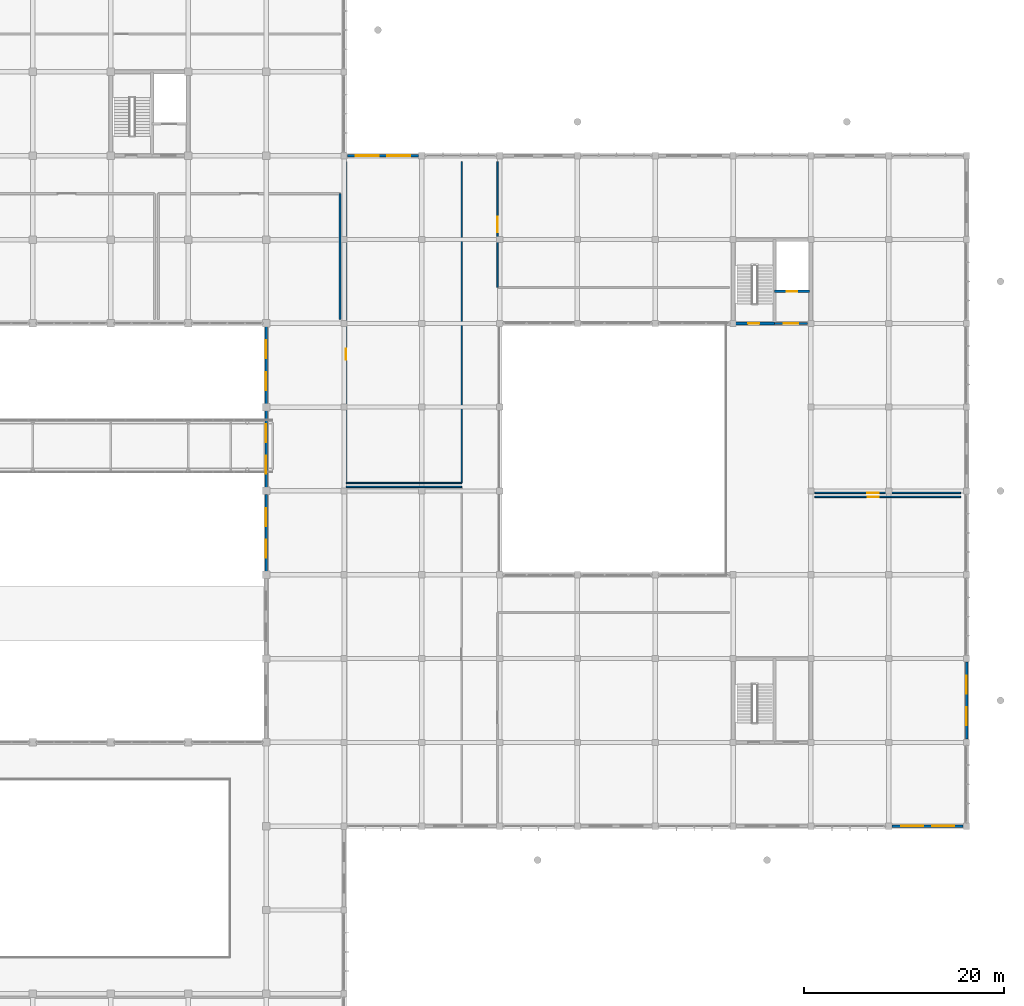
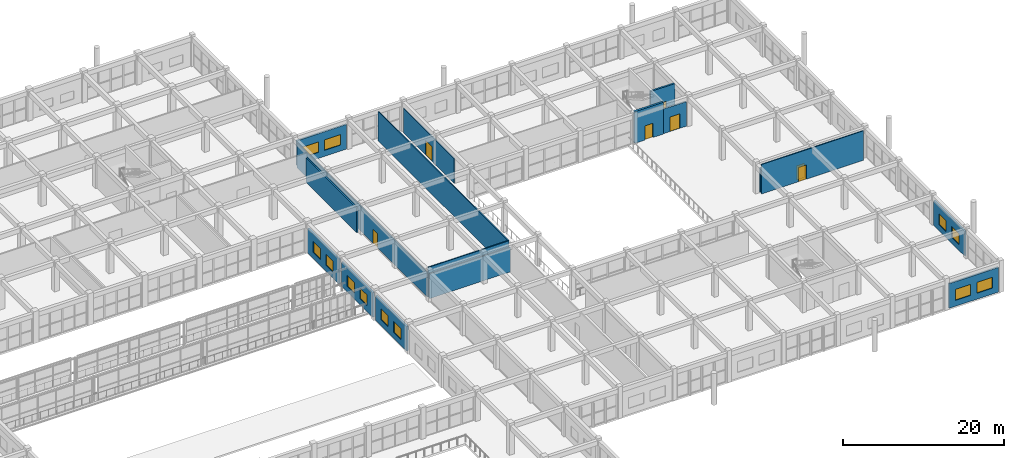
# One storey, part 157 of 167: 17 walls, 12 windows, 7 doors, 19 openings.
"""IFC4 building model written with IfcOpenShell, lengths in metres."""

from ifc_helpers import new_model, si_unit, direction, frame, frame_2d, origin, place, context, subcontext, project, spatial, rectangle, extrude, material, layer, layer_set, type_object, element, fill, save


model = new_model("IFC4")

# Units and contexts
model_context = context("Model", 3, precision=1e-05, world=origin(), true_north=direction((0.0, 1.0)))
body_context = subcontext(model_context, "Body", "Model", "MODEL_VIEW")
ifc_project = project(units=[si_unit("LENGTHUNIT", "METRE"), si_unit("AREAUNIT", "SQUARE_METRE"), si_unit("VOLUMEUNIT", "CUBIC_METRE"), si_unit("PLANEANGLEUNIT", "RADIAN"), si_unit("MASSUNIT", "GRAM", prefix="KILO")], contexts=[model_context])

# Site, building, storey
site_placement = place(None, origin())
site = spatial("IfcSite", under=ifc_project, at=site_placement, CompositionType="ELEMENT")
building_placement = place(site_placement, origin())
building = spatial("IfcBuilding", under=site, at=building_placement, Name="Zizhar Promenade General Hospital", CompositionType="ELEMENT")
storey_placement = place(building_placement, frame((0.0, 0.0, 9.60009765625)))
storey = spatial("IfcBuildingStorey", under=building, at=storey_placement, Name="L02", CompositionType="ELEMENT", Elevation=9.60009765625)

# Wall, openings, windows
ifc_material_1 = material(Name="Precast concrete C40/50", Category="concrete")
ifc_layer_1 = layer(ifc_material_1, 0.235107421875)
ifc_layer_set_1 = layer_set([ifc_layer_1], Name="Precast concrete C40/50")
wall_type_1 = type_object("IfcWallType", Name="EW-CLN-235", PredefinedType="STANDARD", material=ifc_layer_set_1)
wall_1_placement = place(storey_placement, frame((132.93994140625, 109.199951171875, 0.0), z_axis=(0.0, 0.0, 1.0), x_axis=(1.0, 0.0, 0.0)))
wall_1 = element("IfcWall", 1, at=wall_1_placement, inside=storey, type_object=wall_type_1, Name="Outpatient North Wall L02-17", PredefinedType="STANDARD", context=body_context, shape_type="SweptSolid", body=[
    extrude(rectangle(XDim=7.1201171875, YDim=0.235107421875, at=frame_2d((3.56005859375, 0.0))), origin(), (0.0, 0.0, 1.0), 3.72998046875),
])
opening_1_placement = place(wall_1_placement, frame((0.840087890625, 0.0, 0.89990234375)))
opening_1 = element("IfcOpeningElement", 2, at=opening_1_placement, cuts=wall_1, Name="Opening W-20", PredefinedType="OPENING", context=body_context, shape_type="SweptSolid", body=[
    extrude(rectangle(XDim=2.300048828125, YDim=1.60009765625, at=frame_2d((1.14990234375, 0.800048828125))), frame((0.0, 0.12744140625, 0.0), z_axis=(0.0, -1.0, 0.0), x_axis=(1.0, 0.0, 0.0)), (0.0, 0.0, 1.0), 0.255126953125),
])
opening_2_placement = place(wall_1_placement, frame((3.97998046875, 0.0, 0.89990234375)))
opening_2 = element("IfcOpeningElement", 3, at=opening_2_placement, cuts=wall_1, Name="Opening W-20", PredefinedType="OPENING", context=body_context, shape_type="SweptSolid", body=[
    extrude(rectangle(XDim=2.300048828125, YDim=1.60009765625, at=frame_2d((1.14990234375, 0.800048828125))), frame((0.0, 0.12744140625, 0.0), z_axis=(0.0, -1.0, 0.0), x_axis=(1.0, 0.0, 0.0)), (0.0, 0.0, 1.0), 0.255126953125),
])
ifc_material_2 = material(Name="Anodised aluminium 6063-T6 and low-E glass", Category="aluminium")
window_type_1 = type_object("IfcWindowType", Name="WIN-CLN-230x160", PartitioningType="DOUBLE_PANEL_VERTICAL", PredefinedType="WINDOW", material=ifc_material_2)
window_1_placement = place(opening_1_placement, origin())
window_1 = element("IfcWindow", 4, at=window_1_placement, inside=storey, type_object=window_type_1, Name="Outpatient North Wall L02-17 Window 1", OverallHeight=1.60009765625, OverallWidth=2.300048828125, PartitioningType="SINGLE_PANEL", PredefinedType="WINDOW", context=body_context, shape_type="SweptSolid", body=[
    extrude(rectangle(XDim=2.300048828125, YDim=1.60009765625, at=frame_2d((1.14990234375, 0.800048828125))), frame((0.0, 0.030029296875, 0.0), z_axis=(0.0, -1.0, 0.0), x_axis=(1.0, 0.0, 0.0)), (0.0, 0.0, 1.0), 0.06005859375),
])
fill(opening_1, window_1)
window_2_placement = place(opening_2_placement, origin())
window_2 = element("IfcWindow", 5, at=window_2_placement, inside=storey, type_object=window_type_1, Name="Outpatient North Wall L02-17 Window 2", OverallHeight=1.60009765625, OverallWidth=2.300048828125, PartitioningType="SINGLE_PANEL", PredefinedType="WINDOW", context=body_context, shape_type="SweptSolid", body=[
    extrude(rectangle(XDim=2.300048828125, YDim=1.60009765625, at=frame_2d((1.14990234375, 0.800048828125))), frame((0.0, 0.030029296875, 0.0), z_axis=(0.0, -1.0, 0.0), x_axis=(1.0, 0.0, 0.0)), (0.0, 0.0, 1.0), 0.06005859375),
])
fill(opening_2, window_2)

wall_2_placement = place(storey_placement, frame((195.0, 58.4599609375, 0.0), z_axis=(0.0, 0.0, 1.0), x_axis=(0.0, -1.0, 0.0)))
wall_2 = element("IfcWall", 6, at=wall_2_placement, inside=storey, type_object=wall_type_1, Name="Outpatient East Wall L02-6", PredefinedType="STANDARD", context=body_context, shape_type="SweptSolid", body=[
    extrude(rectangle(XDim=7.719970703125, YDim=0.235107421875, at=frame_2d((3.85986328125, 0.0))), origin(), (0.0, 0.0, 1.0), 3.71484375),
])
opening_3_placement = place(wall_2_placement, frame((1.373291015625, 0.0, 0.89990234375)))
opening_3 = element("IfcOpeningElement", 7, at=opening_3_placement, cuts=wall_2, Name="Opening W-08", PredefinedType="OPENING", context=body_context, shape_type="SweptSolid", body=[
    extrude(rectangle(XDim=1.800048828125, YDim=1.64990234375, at=frame_2d((0.89990234375, 0.824951171875))), frame((0.0, 0.12744140625, 0.0), z_axis=(0.0, -1.0, 0.0), x_axis=(1.0, 0.0, 0.0)), (0.0, 0.0, 1.0), 0.255126953125),
])
opening_4_placement = place(wall_2_placement, frame((4.546630859375, 0.0, 0.89990234375)))
opening_4 = element("IfcOpeningElement", 8, at=opening_4_placement, cuts=wall_2, Name="Opening W-08", PredefinedType="OPENING", context=body_context, shape_type="SweptSolid", body=[
    extrude(rectangle(XDim=1.800048828125, YDim=1.64990234375, at=frame_2d((0.89990234375, 0.824951171875))), frame((0.0, 0.12744140625, 0.0), z_axis=(0.0, -1.0, 0.0), x_axis=(1.0, 0.0, 0.0)), (0.0, 0.0, 1.0), 0.255126953125),
])
ifc_material_3 = material(Name="Anodised aluminium 6063-T6 and low-E glass", Category="aluminium")
window_type_2 = type_object("IfcWindowType", Name="WIN-CLN-180x165", PartitioningType="DOUBLE_PANEL_VERTICAL", PredefinedType="WINDOW", material=ifc_material_3)
window_3_placement = place(opening_3_placement, origin())
window_3 = element("IfcWindow", 9, at=window_3_placement, inside=storey, type_object=window_type_2, Name="Outpatient East Wall L02-6 Window 1", OverallHeight=1.64990234375, OverallWidth=1.800048828125, PartitioningType="SINGLE_PANEL", PredefinedType="WINDOW", context=body_context, shape_type="SweptSolid", body=[
    extrude(rectangle(XDim=1.800048828125, YDim=1.64990234375, at=frame_2d((0.89990234375, 0.824951171875))), frame((0.0, 0.030029296875, 0.0), z_axis=(0.0, -1.0, 0.0), x_axis=(1.0, 0.0, 0.0)), (0.0, 0.0, 1.0), 0.06005859375),
])
fill(opening_3, window_3)
window_4_placement = place(opening_4_placement, origin())
window_4 = element("IfcWindow", 10, at=window_4_placement, inside=storey, type_object=window_type_2, Name="Outpatient East Wall L02-6 Window 2", OverallHeight=1.64990234375, OverallWidth=1.800048828125, PartitioningType="SINGLE_PANEL", PredefinedType="WINDOW", context=body_context, shape_type="SweptSolid", body=[
    extrude(rectangle(XDim=1.800048828125, YDim=1.64990234375, at=frame_2d((0.89990234375, 0.824951171875))), frame((0.0, 0.030029296875, 0.0), z_axis=(0.0, -1.0, 0.0), x_axis=(1.0, 0.0, 0.0)), (0.0, 0.0, 1.0), 0.06005859375),
])
fill(opening_4, window_4)

wall_3_placement = place(storey_placement, frame((194.659912109375, 42.0, 0.0), z_axis=(0.0, 0.0, 1.0), x_axis=(-1.0, 0.0, 0.0)))
wall_3 = element("IfcWall", 11, at=wall_3_placement, inside=storey, type_object=wall_type_1, Name="Outpatient Forecourt South Wall L02-24", PredefinedType="STANDARD", context=body_context, shape_type="SweptSolid", body=[
    extrude(rectangle(XDim=7.119873046875, YDim=0.235107421875, at=frame_2d((3.56005859375, 0.0))), origin(), (0.0, 0.0, 1.0), 3.72998046875),
])
opening_5_placement = place(wall_3_placement, frame((0.90673828125, 0.0, 0.89990234375)))
opening_5 = element("IfcOpeningElement", 12, at=opening_5_placement, cuts=wall_3, Name="Opening W-07", PredefinedType="OPENING", context=body_context, shape_type="SweptSolid", body=[
    extrude(rectangle(XDim=2.199951171875, YDim=1.64990234375, at=frame_2d((1.10009765625, 0.824951171875))), frame((0.0, 0.12744140625, 0.0), z_axis=(0.0, -1.0, 0.0), x_axis=(1.0, 0.0, 0.0)), (0.0, 0.0, 1.0), 0.255126953125),
])
opening_6_placement = place(wall_3_placement, frame((4.01318359375, 0.0, 0.89990234375)))
opening_6 = element("IfcOpeningElement", 13, at=opening_6_placement, cuts=wall_3, Name="Opening W-07", PredefinedType="OPENING", context=body_context, shape_type="SweptSolid", body=[
    extrude(rectangle(XDim=2.199951171875, YDim=1.64990234375, at=frame_2d((1.10009765625, 0.824951171875))), frame((0.0, 0.12744140625, 0.0), z_axis=(0.0, -1.0, 0.0), x_axis=(1.0, 0.0, 0.0)), (0.0, 0.0, 1.0), 0.255126953125),
])
ifc_material_4 = material(Name="Anodised aluminium 6063-T6 and low-E glass", Category="aluminium")
window_type_3 = type_object("IfcWindowType", Name="WIN-CLN-220x165", PartitioningType="DOUBLE_PANEL_VERTICAL", PredefinedType="WINDOW", material=ifc_material_4)
window_5_placement = place(opening_5_placement, origin())
window_5 = element("IfcWindow", 14, at=window_5_placement, inside=storey, type_object=window_type_3, Name="Outpatient Forecourt South Wall L02-24 Window 1", OverallHeight=1.64990234375, OverallWidth=2.199951171875, PartitioningType="SINGLE_PANEL", PredefinedType="WINDOW", context=body_context, shape_type="SweptSolid", body=[
    extrude(rectangle(XDim=2.199951171875, YDim=1.64990234375, at=frame_2d((1.10009765625, 0.824951171875))), frame((0.0, 0.030029296875, 0.0), z_axis=(0.0, -1.0, 0.0), x_axis=(1.0, 0.0, 0.0)), (0.0, 0.0, 1.0), 0.06005859375),
])
fill(opening_5, window_5)
window_6_placement = place(opening_6_placement, origin())
window_6 = element("IfcWindow", 15, at=window_6_placement, inside=storey, type_object=window_type_3, Name="Outpatient Forecourt South Wall L02-24 Window 2", OverallHeight=1.64990234375, OverallWidth=2.199951171875, PartitioningType="SINGLE_PANEL", PredefinedType="WINDOW", context=body_context, shape_type="SweptSolid", body=[
    extrude(rectangle(XDim=2.199951171875, YDim=1.64990234375, at=frame_2d((1.10009765625, 0.824951171875))), frame((0.0, 0.030029296875, 0.0), z_axis=(0.0, -1.0, 0.0), x_axis=(1.0, 0.0, 0.0)), (0.0, 0.0, 1.0), 0.06005859375),
])
fill(opening_6, window_6)

ifc_material_5 = material(Name="Precast concrete C40/50", Category="concrete")
ifc_layer_2 = layer(ifc_material_5, 0.260009765625)
ifc_layer_set_2 = layer_set([ifc_layer_2], Name="Precast concrete C40/50")
wall_type_2 = type_object("IfcWallType", Name="EW-PC-260", PredefinedType="STANDARD", material=ifc_layer_set_2)
wall_4_placement = place(storey_placement, frame((124.800048828125, 75.260009765625, 0.0), z_axis=(0.0, 0.0, 1.0), x_axis=(0.0, -1.0, 0.0)))
wall_4 = element("IfcWall", 16, at=wall_4_placement, inside=storey, type_object=wall_type_2, Name="Garden Court East Wall L02-8", PredefinedType="STANDARD", context=body_context, shape_type="SweptSolid", body=[
    extrude(rectangle(XDim=7.719970703125, YDim=0.260009765625, at=frame_2d((3.85986328125, 0.0))), origin(), (0.0, 0.0, 1.0), 3.71484375),
])
opening_7_placement = place(wall_4_placement, frame((1.373291015625, 0.0, 0.89990234375)))
opening_7 = element("IfcOpeningElement", 17, at=opening_7_placement, cuts=wall_4, Name="Opening W-08", PredefinedType="OPENING", context=body_context, shape_type="SweptSolid", body=[
    extrude(rectangle(XDim=1.800048828125, YDim=1.64990234375, at=frame_2d((0.89990234375, 0.824951171875))), frame((0.0, 0.14013671875, 0.0), z_axis=(0.0, -1.0, 0.0), x_axis=(1.0, 0.0, 0.0)), (0.0, 0.0, 1.0), 0.280029296875),
])
opening_8_placement = place(wall_4_placement, frame((4.546630859375, 0.0, 0.89990234375)))
opening_8 = element("IfcOpeningElement", 18, at=opening_8_placement, cuts=wall_4, Name="Opening W-08", PredefinedType="OPENING", context=body_context, shape_type="SweptSolid", body=[
    extrude(rectangle(XDim=1.800048828125, YDim=1.64990234375, at=frame_2d((0.89990234375, 0.824951171875))), frame((0.0, 0.14013671875, 0.0), z_axis=(0.0, -1.0, 0.0), x_axis=(1.0, 0.0, 0.0)), (0.0, 0.0, 1.0), 0.280029296875),
])
window_7_placement = place(opening_7_placement, origin())
window_7 = element("IfcWindow", 19, at=window_7_placement, inside=storey, type_object=window_type_2, Name="Garden Court East Wall L02-8 Window 1", OverallHeight=1.64990234375, OverallWidth=1.800048828125, PartitioningType="SINGLE_PANEL", PredefinedType="WINDOW", context=body_context, shape_type="SweptSolid", body=[
    extrude(rectangle(XDim=1.800048828125, YDim=1.64990234375, at=frame_2d((0.89990234375, 0.824951171875))), frame((0.0, 0.030029296875, 0.0), z_axis=(0.0, -1.0, 0.0), x_axis=(1.0, 0.0, 0.0)), (0.0, 0.0, 1.0), 0.06005859375),
])
fill(opening_7, window_7)
window_8_placement = place(opening_8_placement, origin())
window_8 = element("IfcWindow", 20, at=window_8_placement, inside=storey, type_object=window_type_2, Name="Garden Court East Wall L02-8 Window 2", OverallHeight=1.64990234375, OverallWidth=1.800048828125, PartitioningType="SINGLE_PANEL", PredefinedType="WINDOW", context=body_context, shape_type="SweptSolid", body=[
    extrude(rectangle(XDim=1.800048828125, YDim=1.64990234375, at=frame_2d((0.89990234375, 0.824951171875))), frame((0.0, 0.030029296875, 0.0), z_axis=(0.0, -1.0, 0.0), x_axis=(1.0, 0.0, 0.0)), (0.0, 0.0, 1.0), 0.06005859375),
])
fill(opening_8, window_8)

wall_5_placement = place(storey_placement, frame((124.800048828125, 83.659912109375, 0.0), z_axis=(0.0, 0.0, 1.0), x_axis=(0.0, -1.0, 0.0)))
wall_5 = element("IfcWall", 21, at=wall_5_placement, inside=storey, type_object=wall_type_2, Name="Garden Court East Wall L02-9", PredefinedType="STANDARD", context=body_context, shape_type="SweptSolid", body=[
    extrude(rectangle(XDim=7.719970703125, YDim=0.260009765625, at=frame_2d((3.85986328125, 0.0))), origin(), (0.0, 0.0, 1.0), 3.71484375),
])
opening_9_placement = place(wall_5_placement, frame((1.373291015625, 0.0, 0.89990234375)))
opening_9 = element("IfcOpeningElement", 22, at=opening_9_placement, cuts=wall_5, Name="Opening W-08", PredefinedType="OPENING", context=body_context, shape_type="SweptSolid", body=[
    extrude(rectangle(XDim=1.800048828125, YDim=1.64990234375, at=frame_2d((0.89990234375, 0.824951171875))), frame((0.0, 0.14013671875, 0.0), z_axis=(0.0, -1.0, 0.0), x_axis=(1.0, 0.0, 0.0)), (0.0, 0.0, 1.0), 0.280029296875),
])
opening_10_placement = place(wall_5_placement, frame((4.546630859375, 0.0, 0.89990234375)))
opening_10 = element("IfcOpeningElement", 23, at=opening_10_placement, cuts=wall_5, Name="Opening W-08", PredefinedType="OPENING", context=body_context, shape_type="SweptSolid", body=[
    extrude(rectangle(XDim=1.800048828125, YDim=1.64990234375, at=frame_2d((0.89990234375, 0.824951171875))), frame((0.0, 0.14013671875, 0.0), z_axis=(0.0, -1.0, 0.0), x_axis=(1.0, 0.0, 0.0)), (0.0, 0.0, 1.0), 0.280029296875),
])
window_9_placement = place(opening_9_placement, origin())
window_9 = element("IfcWindow", 24, at=window_9_placement, inside=storey, type_object=window_type_2, Name="Garden Court East Wall L02-9 Window 1", OverallHeight=1.64990234375, OverallWidth=1.800048828125, PartitioningType="SINGLE_PANEL", PredefinedType="WINDOW", context=body_context, shape_type="SweptSolid", body=[
    extrude(rectangle(XDim=1.800048828125, YDim=1.64990234375, at=frame_2d((0.89990234375, 0.824951171875))), frame((0.0, 0.030029296875, 0.0), z_axis=(0.0, -1.0, 0.0), x_axis=(1.0, 0.0, 0.0)), (0.0, 0.0, 1.0), 0.06005859375),
])
fill(opening_9, window_9)
window_10_placement = place(opening_10_placement, origin())
window_10 = element("IfcWindow", 25, at=window_10_placement, inside=storey, type_object=window_type_2, Name="Garden Court East Wall L02-9 Window 2", OverallHeight=1.64990234375, OverallWidth=1.800048828125, PartitioningType="SINGLE_PANEL", PredefinedType="WINDOW", context=body_context, shape_type="SweptSolid", body=[
    extrude(rectangle(XDim=1.800048828125, YDim=1.64990234375, at=frame_2d((0.89990234375, 0.824951171875))), frame((0.0, 0.030029296875, 0.0), z_axis=(0.0, -1.0, 0.0), x_axis=(1.0, 0.0, 0.0)), (0.0, 0.0, 1.0), 0.06005859375),
])
fill(opening_10, window_10)

wall_6_placement = place(storey_placement, frame((124.800048828125, 92.06005859375, 0.0), z_axis=(0.0, 0.0, 1.0), x_axis=(0.0, -1.0, 0.0)))
wall_6 = element("IfcWall", 26, at=wall_6_placement, inside=storey, type_object=wall_type_2, Name="Garden Court East Wall L02-10", PredefinedType="STANDARD", context=body_context, shape_type="SweptSolid", body=[
    extrude(rectangle(XDim=7.719970703125, YDim=0.260009765625, at=frame_2d((3.85986328125, 0.0))), origin(), (0.0, 0.0, 1.0), 3.71484375),
])
opening_11_placement = place(wall_6_placement, frame((1.373291015625, 0.0, 0.89990234375)))
opening_11 = element("IfcOpeningElement", 27, at=opening_11_placement, cuts=wall_6, Name="Opening W-08", PredefinedType="OPENING", context=body_context, shape_type="SweptSolid", body=[
    extrude(rectangle(XDim=1.800048828125, YDim=1.64990234375, at=frame_2d((0.89990234375, 0.824951171875))), frame((0.0, 0.14013671875, 0.0), z_axis=(0.0, -1.0, 0.0), x_axis=(1.0, 0.0, 0.0)), (0.0, 0.0, 1.0), 0.280029296875),
])
opening_12_placement = place(wall_6_placement, frame((4.546630859375, 0.0, 0.89990234375)))
opening_12 = element("IfcOpeningElement", 28, at=opening_12_placement, cuts=wall_6, Name="Opening W-08", PredefinedType="OPENING", context=body_context, shape_type="SweptSolid", body=[
    extrude(rectangle(XDim=1.800048828125, YDim=1.64990234375, at=frame_2d((0.89990234375, 0.824951171875))), frame((0.0, 0.14013671875, 0.0), z_axis=(0.0, -1.0, 0.0), x_axis=(1.0, 0.0, 0.0)), (0.0, 0.0, 1.0), 0.280029296875),
])
window_11_placement = place(opening_11_placement, origin())
window_11 = element("IfcWindow", 29, at=window_11_placement, inside=storey, type_object=window_type_2, Name="Garden Court East Wall L02-10 Window 1", OverallHeight=1.64990234375, OverallWidth=1.800048828125, PartitioningType="SINGLE_PANEL", PredefinedType="WINDOW", context=body_context, shape_type="SweptSolid", body=[
    extrude(rectangle(XDim=1.800048828125, YDim=1.64990234375, at=frame_2d((0.89990234375, 0.824951171875))), frame((0.0, 0.030029296875, 0.0), z_axis=(0.0, -1.0, 0.0), x_axis=(1.0, 0.0, 0.0)), (0.0, 0.0, 1.0), 0.06005859375),
])
fill(opening_11, window_11)
window_12_placement = place(opening_12_placement, origin())
window_12 = element("IfcWindow", 30, at=window_12_placement, inside=storey, type_object=window_type_2, Name="Garden Court East Wall L02-10 Window 2", OverallHeight=1.64990234375, OverallWidth=1.800048828125, PartitioningType="SINGLE_PANEL", PredefinedType="WINDOW", context=body_context, shape_type="SweptSolid", body=[
    extrude(rectangle(XDim=1.800048828125, YDim=1.64990234375, at=frame_2d((0.89990234375, 0.824951171875))), frame((0.0, 0.030029296875, 0.0), z_axis=(0.0, -1.0, 0.0), x_axis=(1.0, 0.0, 0.0)), (0.0, 0.0, 1.0), 0.06005859375),
])
fill(opening_12, window_12)

# Walls
ifc_material_6 = material(Name="Clinical consultation partition")
ifc_layer_3 = layer(ifc_material_6, 0.14501953125)
ifc_layer_set_3 = layer_set([ifc_layer_3], Name="Clinical consultation partition")
wall_type_3 = type_object("IfcWallType", Name="IW-CLN-145", PredefinedType="PARTITIONING", material=ifc_layer_set_3)
wall_7_placement = place(storey_placement, frame((132.800048828125, 76.0, 0.0), z_axis=(0.0, 0.0, 1.0), x_axis=(1.0, 0.0, 0.0)))
element("IfcWall", 31, at=wall_7_placement, inside=storey, type_object=wall_type_3, Name="Outpatient Ophthalmology Clinic N Partition", PredefinedType="PARTITIONING", context=body_context, shape_type="SweptSolid", body=[
    extrude(rectangle(XDim=11.599853515625, YDim=0.14501953125, at=frame_2d((5.7998046875, 0.0))), origin(), (0.0, 0.0, 1.0), 3.72998046875),
])
wall_8_placement = place(storey_placement, frame((132.800048828125, 76.39990234375, 0.0), z_axis=(0.0, 0.0, 1.0), x_axis=(1.0, 0.0, 0.0)))
element("IfcWall", 32, at=wall_8_placement, inside=storey, type_object=wall_type_3, Name="Outpatient Dental and Maxillofacial Clinic S Partition", PredefinedType="PARTITIONING", context=body_context, shape_type="SweptSolid", body=[
    extrude(rectangle(XDim=11.599853515625, YDim=0.14501953125, at=frame_2d((5.7998046875, 0.0))), origin(), (0.0, 0.0, 1.0), 4.4599609375),
])

# Wall, opening, door
wall_9_placement = place(storey_placement, frame((132.800048828125, 76.39990234375, 0.0), z_axis=(0.0, 0.0, 1.0), x_axis=(0.0, 1.0, 0.0)))
wall_9 = element("IfcWall", 33, at=wall_9_placement, inside=storey, type_object=wall_type_3, Name="Outpatient Dental and Maxillofacial Clinic W Partition", PredefinedType="PARTITIONING", context=body_context, shape_type="SweptSolid", body=[
    extrude(rectangle(XDim=32.2001953125, YDim=0.14501953125, at=frame_2d((16.10009765625, 0.0))), origin(), (0.0, 0.0, 1.0), 3.71484375),
])
opening_13_placement = place(wall_9_placement, frame((12.330078125, 0.0, 0.0)))
opening_13 = element("IfcOpeningElement", 34, at=opening_13_placement, cuts=wall_9, Name="Opening D-14", PredefinedType="OPENING", context=body_context, shape_type="SweptSolid", body=[
    extrude(rectangle(XDim=1.10009765625, YDim=2.14990234375, at=frame_2d((0.550048828125, 1.074951171875))), frame((0.0, 0.08251953125, 0.0), z_axis=(0.0, -1.0, 0.0), x_axis=(1.0, 0.0, 0.0)), (0.0, 0.0, 1.0), 0.1650390625),
])
ifc_material_7 = material(Name="Fire-rated timber consultation leaf", Category="wood")
door_type_1 = type_object("IfcDoorType", Name="DR-CLN-CONS-110x215", OperationType="NOTDEFINED", PredefinedType="DOOR", material=ifc_material_7)
door_1_placement = place(opening_13_placement, origin())
door_1 = element("IfcDoor", 35, at=door_1_placement, inside=storey, type_object=door_type_1, Name="Outpatient Dental and Maxillofacial Clinic Door", OperationType="SINGLE_SWING_RIGHT", OverallHeight=2.14990234375, OverallWidth=1.10009765625, PredefinedType="DOOR", context=body_context, shape_type="SweptSolid", body=[
    extrude(rectangle(XDim=1.10009765625, YDim=2.14990234375, at=frame_2d((0.550048828125, 1.074951171875))), frame((0.0, 0.02490234375, 0.0), z_axis=(0.0, -1.0, 0.0), x_axis=(1.0, 0.0, 0.0)), (0.0, 0.0, 1.0), 0.050048828125),
])
fill(opening_13, door_1)

# Wall
wall_10_placement = place(storey_placement, frame((144.39990234375, 76.39990234375, 0.0), z_axis=(0.0, 0.0, 1.0), x_axis=(0.0, 1.0, 0.0)))
element("IfcWall", 36, at=wall_10_placement, inside=storey, type_object=wall_type_3, Name="Outpatient Dental and Maxillofacial Clinic E Partition", PredefinedType="PARTITIONING", context=body_context, shape_type="SweptSolid", body=[
    extrude(rectangle(XDim=32.2001953125, YDim=0.14501953125, at=frame_2d((16.10009765625, 0.0))), origin(), (0.0, 0.0, 1.0), 4.4599609375),
])

# Wall, opening, door
wall_11_placement = place(storey_placement, frame((179.800048828125, 75.0, 0.0), z_axis=(0.0, 0.0, 1.0), x_axis=(1.0, 0.0, 0.0)))
wall_11 = element("IfcWall", 37, at=wall_11_placement, inside=storey, type_object=wall_type_3, Name="Outpatient Maternal and Antenatal Clinic N Partition", PredefinedType="PARTITIONING", context=body_context, shape_type="SweptSolid", body=[
    extrude(rectangle(XDim=14.599853515625, YDim=0.14501953125, at=frame_2d((7.2998046875, 0.0))), origin(), (0.0, 0.0, 1.0), 4.4599609375),
])
opening_14_placement = place(wall_11_placement, frame((5.2900390625, 0.0, 0.0)))
opening_14 = element("IfcOpeningElement", 38, at=opening_14_placement, cuts=wall_11, Name="Opening D-14", PredefinedType="OPENING", context=body_context, shape_type="SweptSolid", body=[
    extrude(rectangle(XDim=1.10009765625, YDim=2.14990234375, at=frame_2d((0.550048828125, 1.074951171875))), frame((0.0, 0.08251953125, 0.0), z_axis=(0.0, -1.0, 0.0), x_axis=(1.0, 0.0, 0.0)), (0.0, 0.0, 1.0), 0.1650390625),
])
door_2_placement = place(opening_14_placement, origin())
door_2 = element("IfcDoor", 39, at=door_2_placement, inside=storey, type_object=door_type_1, Name="Outpatient Maternal and Antenatal Clinic Door", OperationType="SINGLE_SWING_RIGHT", OverallHeight=2.14990234375, OverallWidth=1.10009765625, PredefinedType="DOOR", context=body_context, shape_type="SweptSolid", body=[
    extrude(rectangle(XDim=1.10009765625, YDim=2.14990234375, at=frame_2d((0.550048828125, 1.074951171875))), frame((0.0, 0.02490234375, 0.0), z_axis=(0.0, -1.0, 0.0), x_axis=(1.0, 0.0, 0.0)), (0.0, 0.0, 1.0), 0.050048828125),
])
fill(opening_14, door_2)

wall_12_placement = place(storey_placement, frame((179.800048828125, 75.39990234375, 0.0), z_axis=(0.0, 0.0, 1.0), x_axis=(1.0, 0.0, 0.0)))
wall_12 = element("IfcWall", 40, at=wall_12_placement, inside=storey, type_object=wall_type_3, Name="Outpatient Ophthalmology Clinic Consultation Rooms S Partition", PredefinedType="PARTITIONING", context=body_context, shape_type="SweptSolid", body=[
    extrude(rectangle(XDim=14.599853515625, YDim=0.14501953125, at=frame_2d((7.2998046875, 0.0))), origin(), (0.0, 0.0, 1.0), 3.72998046875),
])
opening_15_placement = place(wall_12_placement, frame((5.264892578125, 0.0, 0.0)))
opening_15 = element("IfcOpeningElement", 41, at=opening_15_placement, cuts=wall_12, Name="Opening D-15", PredefinedType="OPENING", context=body_context, shape_type="SweptSolid", body=[
    extrude(rectangle(XDim=1.14990234375, YDim=2.14990234375, at=frame_2d((0.574951171875, 1.074951171875))), frame((0.0, 0.08251953125, 0.0), z_axis=(0.0, -1.0, 0.0), x_axis=(1.0, 0.0, 0.0)), (0.0, 0.0, 1.0), 0.1650390625),
])
ifc_material_8 = material(Name="Fire-rated timber treatment leaf", Category="wood")
door_type_2 = type_object("IfcDoorType", Name="DR-CLN-TREAT-115x215", OperationType="NOTDEFINED", PredefinedType="DOOR", material=ifc_material_8)
door_3_placement = place(opening_15_placement, origin())
door_3 = element("IfcDoor", 42, at=door_3_placement, inside=storey, type_object=door_type_2, Name="Outpatient Ophthalmology Clinic Consultation Rooms Door", OperationType="SINGLE_SWING_LEFT", OverallHeight=2.14990234375, OverallWidth=1.14990234375, PredefinedType="DOOR", context=body_context, shape_type="SweptSolid", body=[
    extrude(rectangle(XDim=1.14990234375, YDim=2.14990234375, at=frame_2d((0.574951171875, 1.074951171875))), frame((0.0, 0.02490234375, 0.0), z_axis=(0.0, -1.0, 0.0), x_axis=(1.0, 0.0, 0.0)), (0.0, 0.0, 1.0), 0.050048828125),
])
fill(opening_15, door_3)

wall_13_placement = place(storey_placement, frame((148.0, 96.0, 0.0), z_axis=(0.0, 0.0, 1.0), x_axis=(0.0, 1.0, 0.0)))
wall_13 = element("IfcWall", 43, at=wall_13_placement, inside=storey, type_object=wall_type_3, Name="Accessible Clinic Waiting and Lounge L02 W Partition", PredefinedType="PARTITIONING", context=body_context, shape_type="SweptSolid", body=[
    extrude(rectangle(XDim=12.60009765625, YDim=0.14501953125, at=frame_2d((6.300048828125, 0.0))), origin(), (0.0, 0.0, 1.0), 3.71484375),
])
opening_16_placement = place(wall_13_placement, frame((5.5400390625, 0.0, 0.0)))
opening_16 = element("IfcOpeningElement", 44, at=opening_16_placement, cuts=wall_13, Name="Opening D-28", PredefinedType="OPENING", context=body_context, shape_type="SweptSolid", body=[
    extrude(rectangle(XDim=1.52001953125, YDim=2.199951171875, at=frame_2d((0.760009765625, 1.10009765625))), frame((0.0, 0.08251953125, 0.0), z_axis=(0.0, -1.0, 0.0), x_axis=(1.0, 0.0, 0.0)), (0.0, 0.0, 1.0), 0.1650390625),
])
ifc_material_9 = material(Name="Fire-rated timber glazed lounge pair", Category="wood")
door_type_3 = type_object("IfcDoorType", Name="DR-LOUNGE-152x220", OperationType="DOUBLE_DOOR_SINGLE_SWING", PredefinedType="DOOR", material=ifc_material_9)
door_4_placement = place(opening_16_placement, origin())
door_4 = element("IfcDoor", 45, at=door_4_placement, inside=storey, type_object=door_type_3, Name="Accessible Clinic Waiting and Lounge L02 Door", OperationType="DOUBLE_DOOR_SINGLE_SWING", OverallHeight=2.199951171875, OverallWidth=1.52001953125, PredefinedType="DOOR", context=body_context, shape_type="SweptSolid", body=[
    extrude(rectangle(XDim=1.52001953125, YDim=2.199951171875, at=frame_2d((0.760009765625, 1.10009765625))), frame((0.0, 0.02490234375, 0.0), z_axis=(0.0, -1.0, 0.0), x_axis=(1.0, 0.0, 0.0)), (0.0, 0.0, 1.0), 0.050048828125),
])
fill(opening_16, door_4)

ifc_material_10 = material(Name="Concrete C35/45", Category="concrete")
ifc_layer_4 = layer(ifc_material_10, 0.215087890625)
ifc_layer_set_4 = layer_set([ifc_layer_4], Name="Concrete C35/45")
wall_type_4 = type_object("IfcWallType", Name="IW-LOBBY-215", PredefinedType="STANDARD", material=ifc_layer_set_4)
wall_14_placement = place(storey_placement, frame((175.75, 92.39990234375, 0.0), z_axis=(0.0, 0.0, 1.0), x_axis=(1.0, 0.0, 0.0)))
wall_14 = element("IfcWall", 46, at=wall_14_placement, inside=storey, type_object=wall_type_4, Name="Core C8 Lift Lobby South Fire Wall (L02)", PredefinedType="STANDARD", context=body_context, shape_type="SweptSolid", body=[
    extrude(rectangle(XDim=3.2900390625, YDim=0.215087890625, at=frame_2d((1.64501953125, 0.0))), origin(), (0.0, 0.0, 1.0), 3.72998046875),
])
opening_17_placement = place(wall_14_placement, frame((0.925048828125, 0.0, 0.0)))
opening_17 = element("IfcOpeningElement", 47, at=opening_17_placement, cuts=wall_14, Name="Opening D-23", PredefinedType="OPENING", context=body_context, shape_type="SweptSolid", body=[
    extrude(rectangle(XDim=1.43994140625, YDim=2.199951171875, at=frame_2d((0.719970703125, 1.10009765625))), frame((0.0, 0.11767578125, 0.0), z_axis=(0.0, -1.0, 0.0), x_axis=(1.0, 0.0, 0.0)), (0.0, 0.0, 1.0), 0.235107421875),
])
ifc_material_11 = material(Name="Fire-rated timber lift lobby pair", Category="wood")
door_type_4 = type_object("IfcDoorType", Name="DR-LOBBY-PR-144x220", OperationType="DOUBLE_DOOR_SINGLE_SWING", PredefinedType="DOOR", material=ifc_material_11)
door_5_placement = place(opening_17_placement, origin())
door_5 = element("IfcDoor", 48, at=door_5_placement, inside=storey, type_object=door_type_4, Name="Core C8 Protected Lift Lobby Door (L02)", OperationType="DOUBLE_DOOR_SINGLE_SWING", OverallHeight=2.199951171875, OverallWidth=1.43994140625, PredefinedType="DOOR", context=body_context, shape_type="SweptSolid", body=[
    extrude(rectangle(XDim=1.43994140625, YDim=2.199951171875, at=frame_2d((0.719970703125, 1.10009765625))), frame((0.0, 0.02490234375, 0.0), z_axis=(0.0, -1.0, 0.0), x_axis=(1.0, 0.0, 0.0)), (0.0, 0.0, 1.0), 0.050048828125),
])
fill(opening_17, door_5)

# Wall
ifc_material_12 = material(Name="Hygienic cleanroom aluminium-faced gypsum partition", Category="aluminium")
ifc_layer_5 = layer(ifc_material_12, 0.18994140625)
ifc_layer_set_5 = layer_set([ifc_layer_5], Name="Hygienic cleanroom aluminium-faced gypsum partition")
wall_type_5 = type_object("IfcWallType", Name="IW-OR-190", PredefinedType="PARTITIONING", material=ifc_layer_set_5)
wall_15_placement = place(storey_placement, frame((132.199951171875, 92.800048828125, 0.0), z_axis=(0.0, 0.0, 1.0), x_axis=(0.0, 1.0, 0.0)))
element("IfcWall", 49, at=wall_15_placement, inside=storey, type_object=wall_type_5, Name="Operating Theatre 10 E Partition", PredefinedType="PARTITIONING", context=body_context, shape_type="SweptSolid", body=[
    extrude(rectangle(XDim=12.599853515625, YDim=0.18994140625, at=frame_2d((6.2998046875, 0.0))), origin(), (0.0, 0.0, 1.0), 3.72998046875),
])

# Wall, opening, door
ifc_material_13 = material(Name="Concrete C35/45", Category="concrete")
ifc_layer_6 = layer(ifc_material_13, 0.25)
ifc_layer_set_6 = layer_set([ifc_layer_6], Name="Concrete C35/45")
wall_type_6 = type_object("IfcWallType", Name="IW-SHAFT-250", PredefinedType="STANDARD", material=ifc_layer_set_6)
wall_16_placement = place(storey_placement, frame((175.75, 95.60009765625, 0.0), z_axis=(0.0, 0.0, 1.0), x_axis=(1.0, 0.0, 0.0)))
wall_16 = element("IfcWall", 50, at=wall_16_placement, inside=storey, type_object=wall_type_6, Name="Core C8 Lift Shaft Landing Wall (L02)", PredefinedType="STANDARD", context=body_context, shape_type="SweptSolid", body=[
    extrude(rectangle(XDim=3.5, YDim=0.25, at=frame_2d((1.75, 0.0))), origin(), (0.0, 0.0, 1.0), 4.4599609375),
])
opening_18_placement = place(wall_16_placement, frame((1.199951171875, 0.0, 0.0)))
opening_18 = element("IfcOpeningElement", 51, at=opening_18_placement, cuts=wall_16, Name="Opening LD-11", PredefinedType="OPENING", context=body_context, shape_type="SweptSolid", body=[
    extrude(rectangle(XDim=1.10009765625, YDim=2.199951171875, at=frame_2d((0.550048828125, 1.10009765625))), frame((0.0, 0.135009765625, 0.0), z_axis=(0.0, -1.0, 0.0), x_axis=(1.0, 0.0, 0.0)), (0.0, 0.0, 1.0), 0.27001953125),
])
ifc_material_14 = material(Name="Stainless Steel S355 passenger lift landing door", Category="steel")
door_type_5 = type_object("IfcDoorType", Name="DR-LIFT-LD11", OperationType="SLIDING_TO_LEFT", PredefinedType="DOOR", material=ifc_material_14)
door_6_placement = place(opening_18_placement, origin())
door_6 = element("IfcDoor", 52, at=door_6_placement, inside=storey, type_object=door_type_5, Name="Lift LP-04 Sliding Landing Door (L02)", OperationType="SLIDING_TO_LEFT", OverallHeight=2.199951171875, OverallWidth=1.10009765625, PredefinedType="DOOR", context=body_context, shape_type="SweptSolid", body=[
    extrude(rectangle(XDim=1.10009765625, YDim=2.199951171875, at=frame_2d((0.550048828125, 1.10009765625))), frame((0.0, 0.02490234375, 0.0), z_axis=(0.0, -1.0, 0.0), x_axis=(1.0, 0.0, 0.0)), (0.0, 0.0, 1.0), 0.050048828125),
])
fill(opening_18, door_6)

ifc_material_15 = material(Name="Concrete C40/50", Category="concrete")
ifc_layer_7 = layer(ifc_material_15, 0.300048828125)
ifc_layer_set_7 = layer_set([ifc_layer_7], Name="Concrete C40/50")
wall_type_7 = type_object("IfcWallType", Name="WL-CORE-300", PredefinedType="SHEAR", material=ifc_layer_set_7)
wall_17_placement = place(storey_placement, frame((171.60009765625, 92.39990234375, 0.0), z_axis=(0.0, 0.0, 1.0), x_axis=(1.0, 0.0, 0.0)))
wall_17 = element("IfcWall", 53, at=wall_17_placement, inside=storey, type_object=wall_type_7, Name="Core C8 Stair South Fire Wall (L02)", PredefinedType="SHEAR", context=body_context, shape_type="SweptSolid", body=[
    extrude(rectangle(XDim=4.14990234375, YDim=0.300048828125, at=frame_2d((2.074951171875, 0.0))), origin(), (0.0, 0.0, 1.0), 4.7998046875),
])
opening_19_placement = place(wall_17_placement, frame((1.514892578125, 0.0, 0.0)))
opening_19 = element("IfcOpeningElement", 54, at=opening_19_placement, cuts=wall_17, Name="Opening D-21", PredefinedType="OPENING", context=body_context, shape_type="SweptSolid", body=[
    extrude(rectangle(XDim=1.1201171875, YDim=2.14990234375, at=frame_2d((0.56005859375, 1.074951171875))), frame((0.0, 0.16015625, 0.0), z_axis=(0.0, -1.0, 0.0), x_axis=(1.0, 0.0, 0.0)), (0.0, 0.0, 1.0), 0.320068359375),
])
ifc_material_16 = material(Name="Steel S355 protected stair door", Category="steel")
door_type_6 = type_object("IfcDoorType", Name="DR-STAIR-112x215", OperationType="NOTDEFINED", PredefinedType="DOOR", material=ifc_material_16)
door_7_placement = place(opening_19_placement, origin())
door_7 = element("IfcDoor", 55, at=door_7_placement, inside=storey, type_object=door_type_6, Name="Exit Stair ST-08 Door (L02)", OperationType="SINGLE_SWING_RIGHT", OverallHeight=2.14990234375, OverallWidth=1.1201171875, PredefinedType="DOOR", context=body_context, shape_type="SweptSolid", body=[
    extrude(rectangle(XDim=1.1201171875, YDim=2.14990234375, at=frame_2d((0.56005859375, 1.074951171875))), frame((0.0, 0.02490234375, 0.0), z_axis=(0.0, -1.0, 0.0), x_axis=(1.0, 0.0, 0.0)), (0.0, 0.0, 1.0), 0.050048828125),
])
fill(opening_19, door_7)

save(model, "model.ifc")
